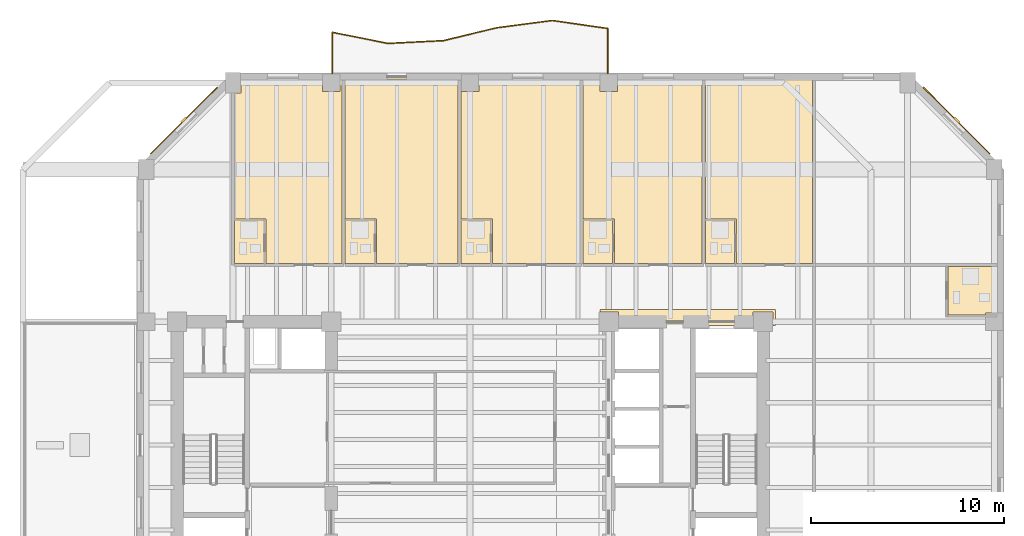
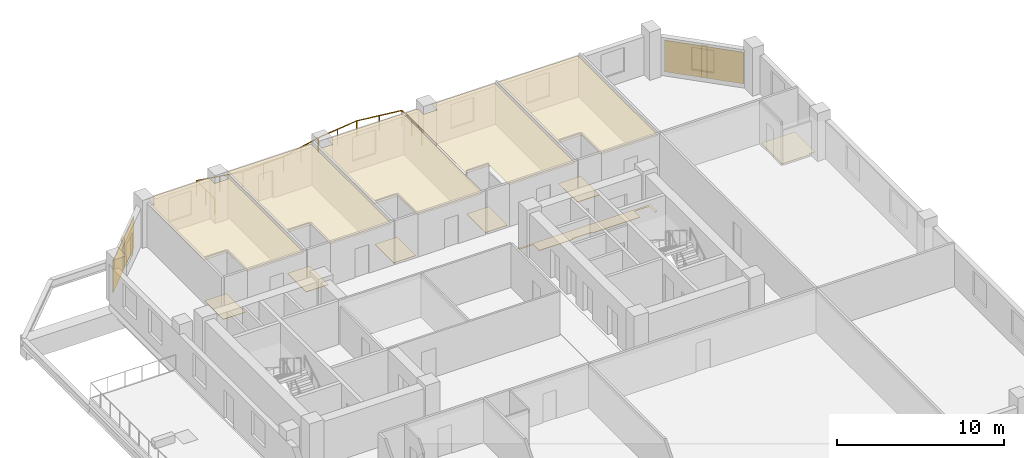
# One storey, part 10 of 11: 14 coverings, 2 shading devices, 1 railing.
"""IFC4 building model written with IfcOpenShell, lengths in metres."""

from ifc_helpers import new_model, si_unit, direction, frame, origin, origin_2d, place, context, subcontext, project, spatial, polyline, rectangle, circle, outline, extrude, material, layer, layer_set, type_object, element, save


model = new_model("IFC4")

# Units and contexts
model_context = context("Model", 3, precision=1e-05, world=origin(), true_north=direction((0.0, 1.0)))
body_context = subcontext(model_context, "Body", "Model", "MODEL_VIEW")
ifc_project = project(units=[si_unit("LENGTHUNIT", "METRE"), si_unit("AREAUNIT", "SQUARE_METRE"), si_unit("VOLUMEUNIT", "CUBIC_METRE"), si_unit("PLANEANGLEUNIT", "RADIAN"), si_unit("MASSUNIT", "GRAM", prefix="KILO")], contexts=[model_context])

# Site, building, storey
site_placement = place(None, origin())
site = spatial("IfcSite", under=ifc_project, at=site_placement, CompositionType="ELEMENT")
building_placement = place(site_placement, origin())
building = spatial("IfcBuilding", under=site, at=building_placement, Name="Kranthara Brick Stack", CompositionType="ELEMENT")
storey_placement = place(building_placement, frame((0.0, 0.0, 141.300048828125)))
storey = spatial("IfcBuildingStorey", under=building, at=storey_placement, Name="L35", CompositionType="ELEMENT", Elevation=141.300048828125)

# Coverings
ifc_material_1 = material(Name="Perforated mineral-fibre acoustic ceiling tile", Category="other")
ifc_layer_1 = layer(ifc_material_1, 0.02490234375)
ifc_layer_set_1 = layer_set([ifc_layer_1], Name="Perforated mineral-fibre acoustic ceiling tile")
covering_type_1 = type_object("IfcCoveringType", Name="COV-CEIL-ACOUSTIC", PredefinedType="CEILING", material=ifc_layer_set_1)
covering_1_placement = place(storey_placement, frame((0.0, 0.0, 2.929931640625)))
element("IfcCovering", 1, at=covering_1_placement, inside=storey, type_object=covering_type_1, Name="L35 Room L35-04 Hotel Guest Room Acoustic Ceiling", PredefinedType="CEILING", context=body_context, shape_type="SweptSolid", body=[
    extrude(outline(polyline([(21.347900390625, 36.6298828125), (17.409912109375, 36.6298828125), (17.409912109375, 38.93994140625), (15.780029296875, 38.93994140625), (15.780029296875, 45.465087890625), (16.110107421875, 45.465087890625), (16.110107421875, 46.199951171875), (20.340087890625, 46.199951171875), (20.340087890625, 45.5400390625), (21.260009765625, 45.5400390625), (21.260009765625, 46.199951171875), (21.347900390625, 46.199951171875), (21.347900390625, 36.6298828125)])), origin(), (0.0, 0.0, 1.0), 0.02490234375),
])
covering_2_placement = place(storey_placement, frame((0.0, 0.0, 2.929931640625)))
element("IfcCovering", 2, at=covering_2_placement, inside=storey, type_object=covering_type_1, Name="L35 Room L35-05 Hotel Guest Room Acoustic Ceiling", PredefinedType="CEILING", context=body_context, shape_type="SweptSolid", body=[
    extrude(outline(polyline([(23.137939453125, 36.6298828125), (27.37890625, 36.6298828125), (27.37890625, 46.199951171875), (21.508056640625, 46.199951171875), (21.508056640625, 38.93994140625), (23.137939453125, 38.93994140625), (23.137939453125, 36.6298828125)])), origin(), (0.0, 0.0, 1.0), 0.02490234375),
])
covering_3_placement = place(storey_placement, frame((0.0, 0.0, 2.929931640625)))
element("IfcCovering", 3, at=covering_3_placement, inside=storey, type_object=covering_type_1, Name="L35 Room L35-06 Hotel Guest Room Acoustic Ceiling", PredefinedType="CEILING", context=body_context, shape_type="SweptSolid", body=[
    extrude(outline(polyline([(33.7099609375, 46.199951171875), (33.7099609375, 36.6298828125), (29.1689453125, 36.6298828125), (29.1689453125, 38.93994140625), (27.5390625, 38.93994140625), (27.5390625, 46.199951171875), (27.5400390625, 46.199951171875), (27.5400390625, 45.5400390625), (28.4599609375, 45.5400390625), (28.4599609375, 46.199951171875), (33.7099609375, 46.199951171875)])), origin(), (0.0, 0.0, 1.0), 0.02490234375),
])
covering_4_placement = place(storey_placement, frame((0.0, 0.0, 2.929931640625)))
element("IfcCovering", 4, at=covering_4_placement, inside=storey, type_object=covering_type_1, Name="L35 Room L35-07 Hotel Guest Room Acoustic Ceiling", PredefinedType="CEILING", context=body_context, shape_type="SweptSolid", body=[
    extrude(outline(polyline([(40.041015625, 46.199951171875), (40.041015625, 36.6298828125), (35.5, 36.6298828125), (35.5, 38.93994140625), (33.8701171875, 38.93994140625), (33.8701171875, 46.199951171875), (34.739990234375, 46.199951171875), (34.739990234375, 45.5400390625), (35.659912109375, 45.5400390625), (35.659912109375, 46.199951171875), (40.041015625, 46.199951171875)])), origin(), (0.0, 0.0, 1.0), 0.02490234375),
])
covering_5_placement = place(storey_placement, frame((0.0, 0.0, 2.929931640625)))
element("IfcCovering", 5, at=covering_5_placement, inside=storey, type_object=covering_type_1, Name="L35 Room L35-08 Corner Junior Suite Acoustic Ceiling", PredefinedType="CEILING", context=body_context, shape_type="SweptSolid", body=[
    extrude(outline(polyline([(41.8310546875, 36.6298828125), (45.77001953125, 36.6298828125), (45.77001953125, 46.199951171875), (40.200927734375, 46.199951171875), (40.200927734375, 38.93994140625), (41.8310546875, 38.93994140625), (41.8310546875, 36.6298828125)])), origin(), (0.0, 0.0, 1.0), 0.02490234375),
])
ifc_material_2 = material(Name="Warm buff kiln-fired brick slip rainscreen", Category="masonry")
ifc_layer_2 = layer(ifc_material_2, 0.044921875)
ifc_layer_set_2 = layer_set([ifc_layer_2], Name="Warm buff kiln-fired brick slip rainscreen")
covering_type_2 = type_object("IfcCoveringType", Name="COV-CLAD-BRICK", PredefinedType="CLADDING", material=ifc_layer_set_2)
for number, where, z_axis, x_axis, name in (
    (6, (13.15966796875, 44.040283203125, 0.0498046875), (0.0, 0.0, 1.0), (0.707106781187, 0.707106781187, 0.0), "L35 Chamfer Brick Rainscreen Cladding NW"),
    (7, (53.240478515625, 44.040283203125, 0.0498046875), (0.0, 0.0, 1.0), (0.707106781187, -0.707106781187, 0.0), "L35 Chamfer Brick Rainscreen Cladding NE"),
):
    element("IfcCovering", number, at=place(storey_placement, frame(where, z_axis=z_axis, x_axis=x_axis)), inside=storey, type_object=covering_type_2, Name=name, PredefinedType="CLADDING", context=body_context, shape_type="SweptSolid", body=[
        extrude(rectangle(XDim=4.89306640625, YDim=0.044921875, at=origin_2d()), origin(), (0.0, 0.0, 1.0), 2.300048828125),
    ])
ifc_material_3 = material(Name="Honed terrazzo and porcelain floor finish", Category="stone")
ifc_layer_3 = layer(ifc_material_3, 0.030029296875)
ifc_layer_set_3 = layer_set([ifc_layer_3], Name="Honed terrazzo and porcelain floor finish")
covering_type_3 = type_object("IfcCoveringType", Name="COV-FLOR-STONE", PredefinedType="FLOORING", material=ifc_layer_set_3)
covering_6_placement = place(storey_placement, origin())
element("IfcCovering", 8, at=covering_6_placement, inside=storey, type_object=covering_type_3, Name="L35 Lift Lobby Stone Flooring", PredefinedType="FLOORING", context=body_context, shape_type="SweptSolid", body=[
    extrude(outline(polyline([(43.7099609375, 33.39990234375), (43.7099609375, 34.110107421875), (42.68994140625, 34.110107421875), (42.68994140625, 33.39990234375), (39.35009765625, 33.39990234375), (39.35009765625, 33.47998046875), (38.050048828125, 33.47998046875), (38.050048828125, 33.39990234375), (35.7099609375, 33.39990234375), (35.7099609375, 34.110107421875), (34.75, 34.110107421875), (34.75, 34.25), (43.85009765625, 34.25), (43.85009765625, 33.39990234375), (43.7099609375, 33.39990234375)])), origin(), (0.0, 0.0, 1.0), 0.030029296875),
])
covering_7_placement = place(storey_placement, origin())
element("IfcCovering", 9, at=covering_7_placement, inside=storey, type_object=covering_type_3, Name="L35 Wet Room Porcelain Flooring", PredefinedType="FLOORING", context=body_context, shape_type="SweptSolid", body=[
    extrude(outline(polyline([(15.780029296875, 36.6298828125), (15.780029296875, 38.8798828125), (17.31005859375, 38.8798828125), (17.31005859375, 36.6298828125), (15.780029296875, 36.6298828125)])), origin(), (0.0, 0.0, 1.0), 0.030029296875),
])
covering_8_placement = place(storey_placement, origin())
element("IfcCovering", 10, at=covering_8_placement, inside=storey, type_object=covering_type_3, Name="L35 Wet Room Porcelain Flooring", PredefinedType="FLOORING", context=body_context, shape_type="SweptSolid", body=[
    extrude(outline(polyline([(21.508056640625, 36.6298828125), (21.508056640625, 38.8798828125), (23.0380859375, 38.8798828125), (23.0380859375, 36.6298828125), (21.508056640625, 36.6298828125)])), origin(), (0.0, 0.0, 1.0), 0.030029296875),
])
covering_9_placement = place(storey_placement, origin())
element("IfcCovering", 11, at=covering_9_placement, inside=storey, type_object=covering_type_3, Name="L35 Wet Room Porcelain Flooring", PredefinedType="FLOORING", context=body_context, shape_type="SweptSolid", body=[
    extrude(outline(polyline([(27.5390625, 36.6298828125), (27.5390625, 38.8798828125), (29.069091796875, 38.8798828125), (29.069091796875, 36.6298828125), (27.5390625, 36.6298828125)])), origin(), (0.0, 0.0, 1.0), 0.030029296875),
])
covering_10_placement = place(storey_placement, origin())
element("IfcCovering", 12, at=covering_10_placement, inside=storey, type_object=covering_type_3, Name="L35 Wet Room Porcelain Flooring", PredefinedType="FLOORING", context=body_context, shape_type="SweptSolid", body=[
    extrude(outline(polyline([(33.8701171875, 36.6298828125), (33.8701171875, 38.8798828125), (35.39990234375, 38.8798828125), (35.39990234375, 36.6298828125), (33.8701171875, 36.6298828125)])), origin(), (0.0, 0.0, 1.0), 0.030029296875),
])
covering_11_placement = place(storey_placement, origin())
element("IfcCovering", 13, at=covering_11_placement, inside=storey, type_object=covering_type_3, Name="L35 Wet Room Porcelain Flooring", PredefinedType="FLOORING", context=body_context, shape_type="SweptSolid", body=[
    extrude(outline(polyline([(40.200927734375, 36.6298828125), (40.200927734375, 38.8798828125), (41.73095703125, 38.8798828125), (41.73095703125, 36.6298828125), (40.200927734375, 36.6298828125)])), origin(), (0.0, 0.0, 1.0), 0.030029296875),
])
covering_12_placement = place(storey_placement, origin())
element("IfcCovering", 14, at=covering_12_placement, inside=storey, type_object=covering_type_3, Name="L35 Wet Room Porcelain Flooring", PredefinedType="FLOORING", context=body_context, shape_type="SweptSolid", body=[
    extrude(outline(polyline([(52.7900390625, 36.469970703125), (55.1298828125, 36.469970703125), (55.1298828125, 34.06005859375), (54.739990234375, 34.06005859375), (54.739990234375, 33.9599609375), (52.7900390625, 33.9599609375), (52.7900390625, 36.469970703125)])), origin(), (0.0, 0.0, 1.0), 0.030029296875),
])

# Railing
ifc_material_4 = material(Name="Bronze anodised aluminium and laminated glass balustrade", Category="aluminium")
railing_type = type_object("IfcRailingType", Name="RL-BALC-1120", PredefinedType="BALUSTRADE", material=ifc_material_4)
railing_placement = place(storey_placement, frame((20.860107421875, 46.43994140625, 0.0)))
element("IfcRailing", 15, at=railing_placement, inside=storey, type_object=railing_type, Name="L35 North Rippling Balcony Balustrade", PredefinedType="BALUSTRADE", context=body_context, shape_type="SweptSolid", body=[
    extrude(circle(Radius=0.02392578125, at=origin_2d()), frame((0.0, 0.0, 1.09619140625), z_axis=(-0.000111957008, 0.999999993733, 0.0), x_axis=(-0.999999993733, -0.000111957008, 0.0)), (0.0, 0.0, 1.0), 2.1806640625),
    extrude(circle(Radius=0.02392578125, at=origin_2d()), frame((-0.000244140625, 2.1806640625, 1.09619140625), z_axis=(0.980634989514, -0.195844370204, 0.0), x_axis=(0.195844370204, 0.980634989514, 0.0)), (0.0, 0.0, 1.0), 2.93701171875),
    extrude(circle(Radius=0.02392578125, at=origin_2d()), frame((2.8798828125, 1.60546875, 1.09619140625), z_axis=(0.998734540111, 0.050292329334, 0.0), x_axis=(-0.050292329334, 0.998734540111, 0.0)), (0.0, 0.0, 1.0), 2.883544921875),
    extrude(circle(Radius=0.02392578125, at=origin_2d()), frame((5.759765625, 1.75048828125, 1.09619140625), z_axis=(0.972200139411, 0.234151423078, 0.0), x_axis=(-0.234151423078, 0.972200139411, 0.0)), (0.0, 0.0, 1.0), 2.846435546875),
    extrude(circle(Radius=0.02392578125, at=origin_2d()), frame((8.527099609375, 2.4169921875, 1.09619140625), z_axis=(0.991512377979, 0.130012323703, 0.0), x_axis=(-0.130012323703, 0.991512377979, 0.0)), (0.0, 0.0, 1.0), 2.8994140625),
    extrude(circle(Radius=0.02392578125, at=origin_2d()), frame((11.40185546875, 2.7939453125, 1.09619140625), z_axis=(0.989917562728, -0.141644692818, 0.0), x_axis=(0.141644692818, 0.989917562728, 0.0)), (0.0, 0.0, 1.0), 2.90771484375),
    extrude(circle(Radius=0.02392578125, at=origin_2d()), frame((14.2802734375, 2.382080078125, 1.09619140625), z_axis=(-0.000204981035, -0.999999978991, 0.0), x_axis=(0.999999978991, -0.000204981035, 0.0)), (0.0, 0.0, 1.0), 2.382080078125),
    extrude(circle(Radius=0.02099609375, at=origin_2d()), origin(), (0.0, 0.0, 1.0), 1.072021484375),
    extrude(circle(Radius=0.02099609375, at=origin_2d()), frame((0.0, 1.09033203125, 0.0)), (0.0, 0.0, 1.0), 1.072021484375),
    extrude(circle(Radius=0.02099609375, at=origin_2d()), frame((-0.000244140625, 2.1806640625, 0.0)), (0.0, 0.0, 1.0), 1.072021484375),
    extrude(circle(Radius=0.02099609375, at=origin_2d()), frame((1.43994140625, 1.89306640625, 0.0)), (0.0, 0.0, 1.0), 1.072021484375),
    extrude(circle(Radius=0.02099609375, at=origin_2d()), frame((2.8798828125, 1.60546875, 0.0)), (0.0, 0.0, 1.0), 1.072021484375),
    extrude(circle(Radius=0.02099609375, at=origin_2d()), frame((4.31982421875, 1.677978515625, 0.0)), (0.0, 0.0, 1.0), 1.072021484375),
    extrude(circle(Radius=0.02099609375, at=origin_2d()), frame((5.759765625, 1.75048828125, 0.0)), (0.0, 0.0, 1.0), 1.072021484375),
    extrude(circle(Radius=0.02099609375, at=origin_2d()), frame((7.1435546875, 2.083740234375, 0.0)), (0.0, 0.0, 1.0), 1.072021484375),
    extrude(circle(Radius=0.02099609375, at=origin_2d()), frame((8.527099609375, 2.4169921875, 0.0)), (0.0, 0.0, 1.0), 1.072021484375),
    extrude(circle(Radius=0.02099609375, at=origin_2d()), frame((9.96435546875, 2.60546875, 0.0)), (0.0, 0.0, 1.0), 1.072021484375),
    extrude(circle(Radius=0.02099609375, at=origin_2d()), frame((11.40185546875, 2.7939453125, 0.0)), (0.0, 0.0, 1.0), 1.072021484375),
    extrude(circle(Radius=0.02099609375, at=origin_2d()), frame((12.841064453125, 2.587890625, 0.0)), (0.0, 0.0, 1.0), 1.072021484375),
    extrude(circle(Radius=0.02099609375, at=origin_2d()), frame((14.2802734375, 2.382080078125, 0.0)), (0.0, 0.0, 1.0), 1.072021484375),
    extrude(circle(Radius=0.02099609375, at=origin_2d()), frame((14.280029296875, 1.19091796875, 0.0)), (0.0, 0.0, 1.0), 1.072021484375),
    extrude(circle(Radius=0.02099609375, at=origin_2d()), frame((14.27978515625, 0.0, 0.0)), (0.0, 0.0, 1.0), 1.072021484375),
])

# Shading devices
ifc_material_5 = material(Name="Kiln-fired terracotta aerodynamic wind fin", Category="masonry")
shading_device_type = type_object("IfcShadingDeviceType", Name="SHD-BAFFLE-CORNER", PredefinedType="SHUTTER", material=ifc_material_5)
for number, where, z_axis, x_axis, name in (
    (16, (13.138427734375, 44.0615234375, 0.0498046875), (0.0, 0.0, 1.0), (0.707106781187, 0.707106781187, 0.0), "L35 Chamfer Wind-Baffle Fin NW"),
    (17, (53.26171875, 44.0615234375, 0.0498046875), (0.0, 0.0, 1.0), (0.707106781187, -0.707106781187, 0.0), "L35 Chamfer Wind-Baffle Fin NE"),
):
    element("IfcShadingDevice", number, at=place(storey_placement, frame(where, z_axis=z_axis, x_axis=x_axis)), inside=storey, type_object=shading_device_type, Name=name, PredefinedType="SHUTTER", context=body_context, shape_type="SweptSolid", body=[
        extrude(rectangle(XDim=0.35009765625, YDim=0.1201171875, at=origin_2d()), origin(), (0.0, 0.0, 1.0), 2.300048828125),
    ])

save(model, "model.ifc")
